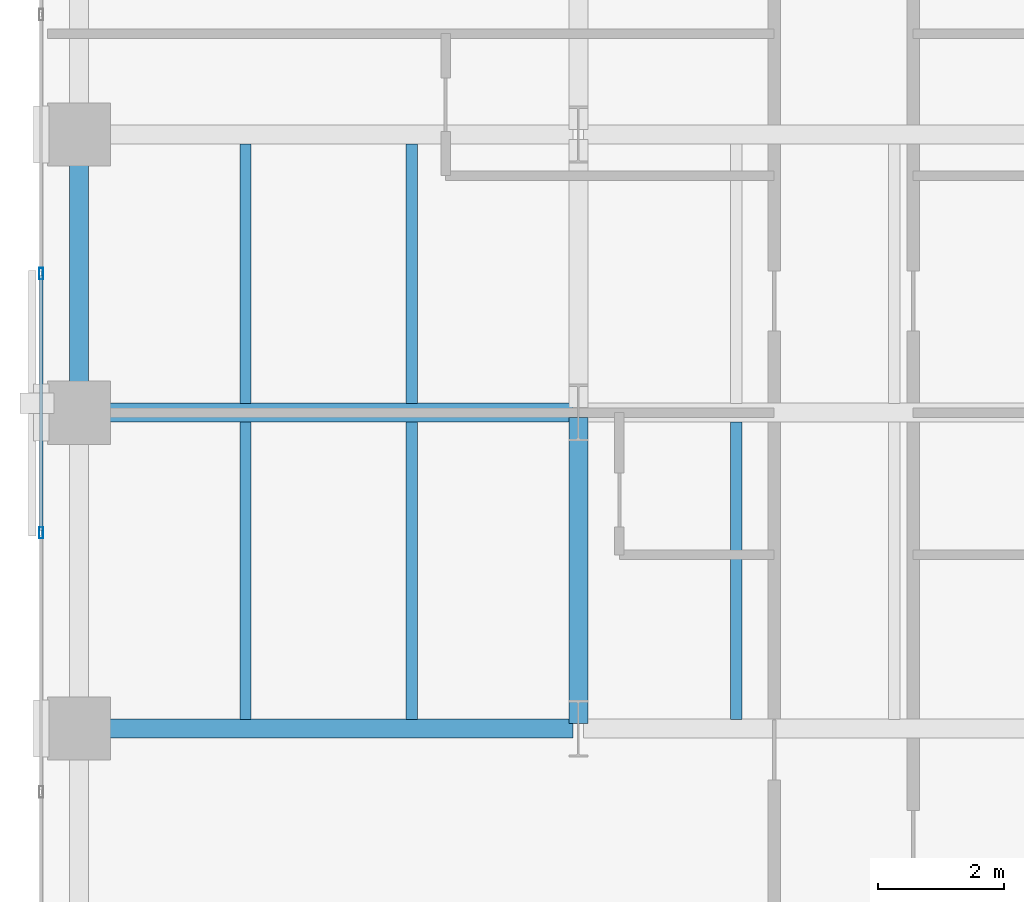
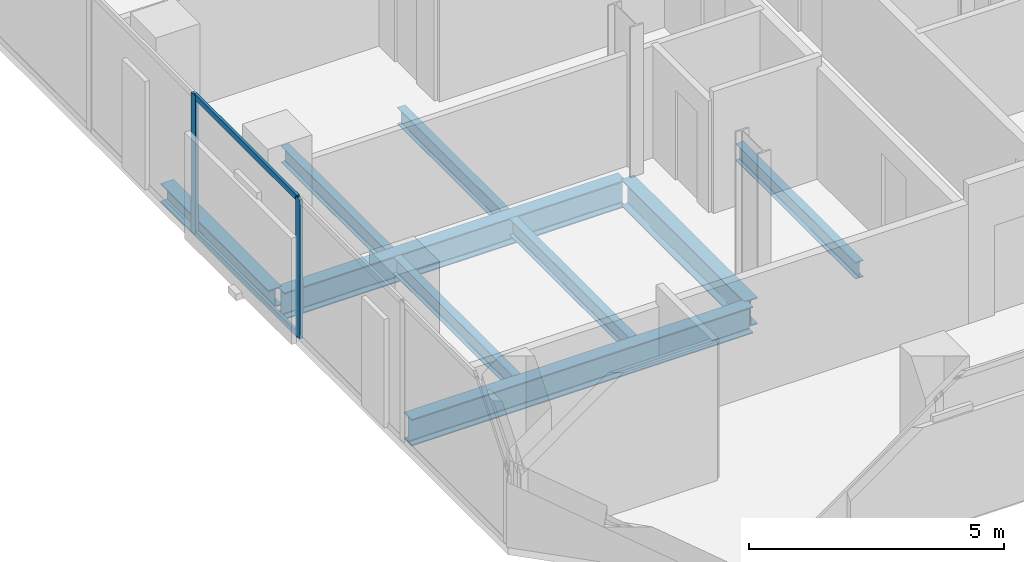
# One storey, part 4 of 31: 9 beams, 4 members, 1 element without a shape of its own.
"""IFC4 building model written with IfcOpenShell, lengths in metres."""

from ifc_helpers import new_model, si_unit, direction, frame, origin, origin_2d, place, context, subcontext, project, spatial, hollow_rectangle, i_section, extrude, material, layer, layer_set, material_profile, profile_set, type_object, element, aggregate, save


model = new_model("IFC4")

# Units and contexts
model_context = context("Model", 3, precision=1e-05, world=origin(), true_north=direction((0.0, 1.0)))
body_context = subcontext(model_context, "Body", "Model", "MODEL_VIEW")
ifc_project = project(units=[si_unit("LENGTHUNIT", "METRE"), si_unit("AREAUNIT", "SQUARE_METRE"), si_unit("VOLUMEUNIT", "CUBIC_METRE"), si_unit("PLANEANGLEUNIT", "RADIAN"), si_unit("MASSUNIT", "GRAM", prefix="KILO")], contexts=[model_context])

# Site, building, storey
site_placement = place(None, origin())
site = spatial("IfcSite", under=ifc_project, at=site_placement, CompositionType="ELEMENT")
building_placement = place(site_placement, origin())
building = spatial("IfcBuilding", under=site, at=building_placement, Name="Catumbela Crestline Tower", CompositionType="ELEMENT")
storey_placement = place(building_placement, frame((0.0, 0.0, 25.8)))
storey = spatial("IfcBuildingStorey", under=building, at=storey_placement, Name="L05", CompositionType="ELEMENT", Elevation=25.8)

# Beams
ifc_material_1 = material(Name="Structural steel S355J2", Category="steel")
ifc_material_profile_1 = material_profile(ifc_material_1, i_section(OverallWidth=0.3, OverallDepth=0.64, WebThickness=0.0135, FlangeThickness=0.026, FilletRadius=0.027, at=origin_2d()), Name="HEA 650")
ifc_profile_set_1 = profile_set([ifc_material_profile_1], Name="Structural steel S355J2")
beam_type_1 = type_object("IfcBeamType", Name="BG-HEA650", PredefinedType="BEAM", material=ifc_profile_set_1)
for number, where, z_axis, x_axis, name in (
    (1, (0.68, 8.6, -0.58), (1.0, 0.0, 0.0), (0.0, 1.0, 0.0), "L05 Beam BM-L05-WEW48"),
    (2, (0.68, 13.6, -0.58), (1.0, 0.0, 0.0), (0.0, 1.0, 0.0), "L05 Beam BM-L05-WEW51"),
):
    element("IfcBeam", number, at=place(storey_placement, frame(where, z_axis=z_axis, x_axis=x_axis)), inside=storey, type_object=beam_type_1, Name=name, PredefinedType="BEAM", context=body_context, shape_type="SweptSolid", body=[
        extrude(i_section(OverallWidth=0.3, OverallDepth=0.64, WebThickness=0.0135, FlangeThickness=0.026, FilletRadius=0.027, at=origin_2d()), origin(), (0.0, 0.0, 1.0), 7.74),
    ])
beam_1_placement = place(storey_placement, frame((8.5, 8.68, -0.58), z_axis=(0.0, 1.0, 0.0), x_axis=(-1.0, 0.0, 0.0)))
element("IfcBeam", 3, at=beam_1_placement, inside=storey, type_object=beam_type_1, Name="L05 Beam BM-L05-WNS61", PredefinedType="BEAM", context=body_context, shape_type="SweptSolid", body=[
    extrude(i_section(OverallWidth=0.3, OverallDepth=0.64, WebThickness=0.0135, FlangeThickness=0.026, FilletRadius=0.027, at=origin_2d()), origin(), (0.0, 0.0, 1.0), 4.84),
])
ifc_material_profile_2 = material_profile(ifc_material_1, i_section(OverallWidth=0.18, OverallDepth=0.4, WebThickness=0.0086, FlangeThickness=0.0135, FilletRadius=0.021, at=origin_2d()), Name="IPE 400")
ifc_profile_set_2 = profile_set([ifc_material_profile_2], Name="Structural steel S355J2")
beam_type_2 = type_object("IfcBeamType", Name="BJ-IPE400", PredefinedType="JOIST", material=ifc_profile_set_2)
for number, where, z_axis, x_axis, name in (
    (4, (3.233, 8.747, -0.46), (0.0, 1.0, 0.0), (-1.0, 0.0, 0.0), "L05 Joist JS-L05-WG70"),
    (5, (5.867, 8.747, -0.46), (0.0, 1.0, 0.0), (-1.0, 0.0, 0.0), "L05 Joist JS-L05-WG71"),
    (6, (11.0, 8.747, -0.46), (0.0, 1.0, 0.0), (-1.0, 0.0, 0.0), "L05 Joist JS-L05-WG72"),
):
    element("IfcBeam", number, at=place(storey_placement, frame(where, z_axis=z_axis, x_axis=x_axis)), inside=storey, type_object=beam_type_2, Name=name, PredefinedType="JOIST", context=body_context, shape_type="SweptSolid", body=[
        extrude(i_section(OverallWidth=0.18, OverallDepth=0.4, WebThickness=0.0086, FlangeThickness=0.0135, FilletRadius=0.021, at=origin_2d()), origin(), (0.0, 0.0, 1.0), 4.706),
    ])
for number, where, z_axis, x_axis, name in (
    (7, (3.233, 13.747, -0.46), (0.0, 1.0, 0.0), (-1.0, 0.0, 0.0), "L05 Joist JS-L05-WG76"),
    (8, (5.867, 13.747, -0.46), (0.0, 1.0, 0.0), (-1.0, 0.0, 0.0), "L05 Joist JS-L05-WG77"),
):
    element("IfcBeam", number, at=place(storey_placement, frame(where, z_axis=z_axis, x_axis=x_axis)), inside=storey, type_object=beam_type_2, Name=name, PredefinedType="JOIST", context=body_context, shape_type="SweptSolid", body=[
        extrude(i_section(OverallWidth=0.18, OverallDepth=0.4, WebThickness=0.0086, FlangeThickness=0.0135, FilletRadius=0.021, at=origin_2d()), origin(), (0.0, 0.0, 1.0), 4.106),
    ])

# Curtain wall, members
ifc_material_2 = material(Name="Aluminium alloy AW-6060-T66", Category="aluminium")
ifc_layer = layer(ifc_material_2, 0.18, Name="Aluminium alloy AW-6060-T66")
ifc_layer_set = layer_set([ifc_layer], Name="Aluminium alloy AW-6060-T66")
curtain_wall_type = type_object("IfcCurtainWallType", Name="CWU-Z1", PredefinedType="USERDEFINED", material=ifc_layer_set)
curtain_wall_placement = place(storey_placement, origin())
curtain_wall = element("IfcCurtainWall", 9, at=curtain_wall_placement, inside=storey, type_object=curtain_wall_type, Name="L05 Unitised Curtain Wall CW-L05-E9S1", ObjectType="UNITISED", PredefinedType="USERDEFINED")
ifc_material_profile_3 = material_profile(ifc_material_2, hollow_rectangle(XDim=0.065, YDim=0.18, WallThickness=0.004, at=origin_2d()), Name="ALU 180x65x4")
ifc_profile_set_3 = profile_set([ifc_material_profile_3], Name="Aluminium alloy AW-6060-T66")
member_type_1 = type_object("IfcMemberType", Name="MUL-180X65", PredefinedType="MULLION", material=ifc_profile_set_3)
member_1_placement = place(storey_placement, frame((0.0, 15.8, 0.0), z_axis=(0.0, 0.0, 1.0), x_axis=(1.0, 0.0, 0.0)))
member_1 = element("IfcMember", 10, at=member_1_placement, type_object=member_type_1, Name="CWU-Z1 mullion 8", PredefinedType="MULLION", context=body_context, shape_type="SweptSolid", body=[
    extrude(hollow_rectangle(XDim=0.065, YDim=0.18, WallThickness=0.004, at=origin_2d()), origin(), (0.0, 0.0, 1.0), 3.33),
])
member_2_placement = place(storey_placement, frame((0.0, 11.7, 0.0), z_axis=(0.0, 0.0, 1.0), x_axis=(1.0, 0.0, 0.0)))
member_2 = element("IfcMember", 11, at=member_2_placement, type_object=member_type_1, Name="CWU-Z1 mullion 9", PredefinedType="MULLION", context=body_context, shape_type="SweptSolid", body=[
    extrude(hollow_rectangle(XDim=0.065, YDim=0.18, WallThickness=0.004, at=origin_2d()), origin(), (0.0, 0.0, 1.0), 3.33),
])

# Beam
ifc_material_profile_4 = material_profile(ifc_material_1, i_section(OverallWidth=0.3, OverallDepth=0.45, WebThickness=0.014, FlangeThickness=0.026, FilletRadius=0.027, at=origin_2d()), Name="HEB 450")
ifc_profile_set_4 = profile_set([ifc_material_profile_4], Name="Structural steel S355J2")
beam_type_3 = type_object("IfcBeamType", Name="BS-HEB450", PredefinedType="SPANDREL", material=ifc_profile_set_4)
beam_2_placement = place(storey_placement, frame((0.6, 13.68, -0.485), z_axis=(0.0, 1.0, 0.0), x_axis=(-1.0, 0.0, 0.0)))
element("IfcBeam", 12, at=beam_2_placement, inside=storey, type_object=beam_type_3, Name="L05 Spandrel SP-L05-WNS59", PredefinedType="SPANDREL", context=body_context, shape_type="SweptSolid", body=[
    extrude(i_section(OverallWidth=0.3, OverallDepth=0.45, WebThickness=0.014, FlangeThickness=0.026, FilletRadius=0.027, at=origin_2d()), origin(), (0.0, 0.0, 1.0), 4.24),
])

# Member
ifc_material_profile_5 = material_profile(ifc_material_2, hollow_rectangle(XDim=0.06, YDim=0.14, WallThickness=0.004, at=origin_2d()), Name="ALU 140x60x4")
ifc_profile_set_5 = profile_set([ifc_material_profile_5], Name="Aluminium alloy AW-6060-T66")
member_type_2 = type_object("IfcMemberType", Name="TRN-140X60", PredefinedType="USERDEFINED", material=ifc_profile_set_5)
member_3_placement = place(storey_placement, frame((0.0, 15.7675, 0.03), z_axis=(0.0, -1.0, 0.0), x_axis=(1.0, 0.0, 0.0)))
member_3 = element("IfcMember", 13, at=member_3_placement, type_object=member_type_2, Name="CWU-Z1 transom 8.1", ObjectType="TRANSOM", PredefinedType="USERDEFINED", context=body_context, shape_type="SweptSolid", body=[
    extrude(hollow_rectangle(XDim=0.06, YDim=0.14, WallThickness=0.004, at=origin_2d()), origin(), (0.0, 0.0, 1.0), 4.035),
])

member_4_placement = place(storey_placement, frame((0.0, 15.7675, 3.3), z_axis=(0.0, -1.0, 0.0), x_axis=(1.0, 0.0, 0.0)))
member_4 = element("IfcMember", 14, at=member_4_placement, type_object=member_type_2, Name="CWU-Z1 transom 8.2", ObjectType="TRANSOM", PredefinedType="USERDEFINED", context=body_context, shape_type="SweptSolid", body=[
    extrude(hollow_rectangle(XDim=0.06, YDim=0.14, WallThickness=0.004, at=origin_2d()), origin(), (0.0, 0.0, 1.0), 4.035),
])

aggregate(curtain_wall, [member_1, member_2, member_3, member_4])

save(model, "model.ifc")
